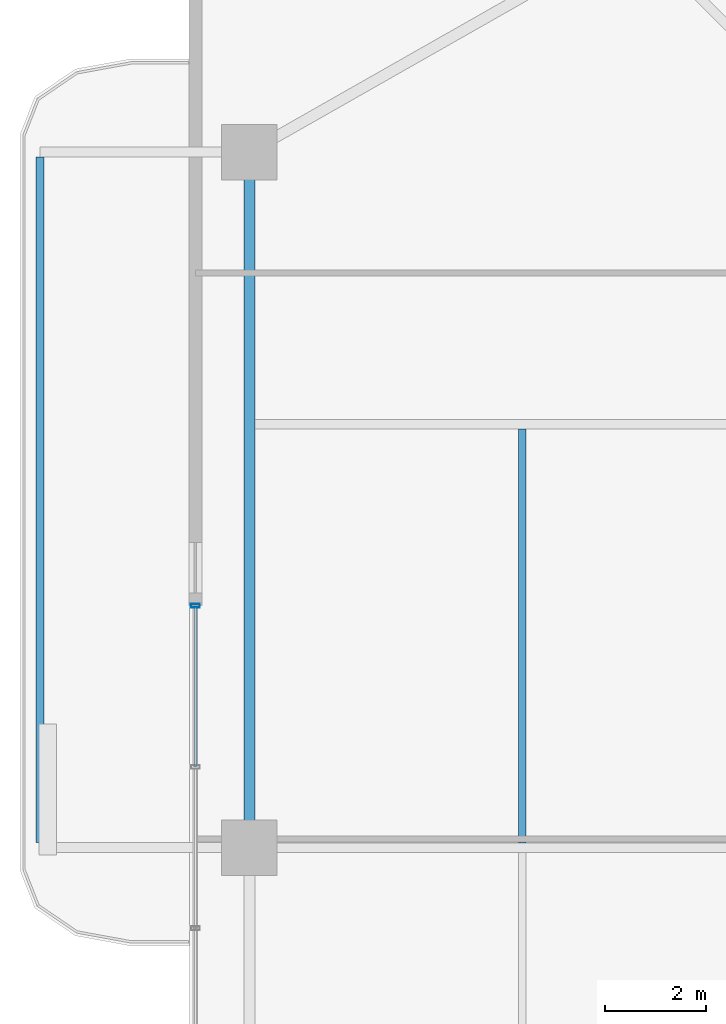
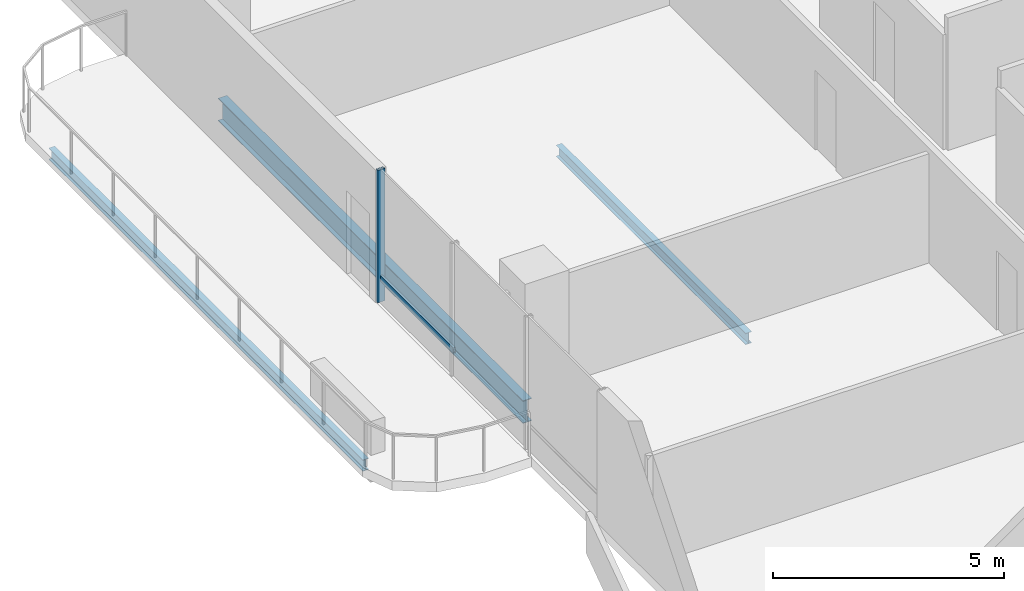
# One storey, part 9 of 24: 3 beams, 2 members, 1 element without a shape of its own.
"""IFC4 building model written with IfcOpenShell, lengths in metres."""

from ifc_helpers import new_model, si_unit, direction, frame, origin, origin_2d, place, context, subcontext, project, spatial, hollow_rectangle, i_section, extrude, material, layer, layer_set, material_profile, profile_set, type_object, element, aggregate, save


model = new_model("IFC4")

# Units and contexts
model_context = context("Model", 3, precision=1e-05, world=origin(), true_north=direction((0.0, 1.0)))
body_context = subcontext(model_context, "Body", "Model", "MODEL_VIEW")
ifc_project = project(units=[si_unit("LENGTHUNIT", "METRE"), si_unit("AREAUNIT", "SQUARE_METRE"), si_unit("VOLUMEUNIT", "CUBIC_METRE"), si_unit("PLANEANGLEUNIT", "RADIAN"), si_unit("MASSUNIT", "GRAM", prefix="KILO")], contexts=[model_context])

# Site, building, storey
site_placement = place(None, origin())
site = spatial("IfcSite", under=ifc_project, at=site_placement, CompositionType="ELEMENT")
building_placement = place(site_placement, origin())
building = spatial("IfcBuilding", under=site, at=building_placement, Name="Belovzor Exchange Tower", CompositionType="ELEMENT")
storey_placement = place(building_placement, frame((0.0, 0.0, 207.449951171875)))
storey = spatial("IfcBuildingStorey", under=building, at=storey_placement, Name="L51", CompositionType="ELEMENT", Elevation=207.449951171875)

# Beams
ifc_material_1 = material(Name="Steel S355", Category="steel")
ifc_material_profile_1 = material_profile(ifc_material_1, i_section(OverallWidth=0.14990234375, OverallDepth=0.300048828125, WebThickness=0.007080078125, FlangeThickness=0.0107421875, at=origin_2d()))
ifc_profile_set_1 = profile_set([ifc_material_profile_1], Name="Steel S355")
beam_type_1 = type_object("IfcBeamType", Name="Planted Balcony Fascia Edge Beam IPE 300", PredefinedType="BEAM", material=ifc_profile_set_1)
beam_1_placement = place(storey_placement, frame((-1.153076171875, 42.5, -0.39990234375), z_axis=(0.0, -1.0, 0.0), x_axis=(1.0, 0.0, 0.0)))
element("IfcBeam", 1, at=beam_1_placement, inside=storey, type_object=beam_type_1, Name="BC-300 Planted Balcony Fascia Edge Beam IPE 300", PredefinedType="BEAM", context=body_context, shape_type="SweptSolid", body=[
    extrude(i_section(OverallWidth=0.14990234375, OverallDepth=0.300048828125, WebThickness=0.007080078125, FlangeThickness=0.0107421875, at=origin_2d()), origin(), (0.0, 0.0, 1.0), 13.60009765625),
])
ifc_material_2 = material(Name="Steel S355", Category="steel")
ifc_material_profile_2 = material_profile(ifc_material_2, i_section(OverallWidth=0.14990234375, OverallDepth=0.300048828125, WebThickness=0.007080078125, FlangeThickness=0.0107421875, at=origin_2d()))
ifc_profile_set_2 = profile_set([ifc_material_profile_2], Name="Steel S355")
beam_type_2 = type_object("IfcBeamType", Name="Secondary Trim Floor Joist IPE 300", PredefinedType="BEAM", material=ifc_profile_set_2)
beam_2_placement = place(storey_placement, frame((8.4130859375, 28.89501953125, -0.39990234375), z_axis=(0.0, 1.0, 0.0), x_axis=(-1.0, 0.0, 0.0)))
element("IfcBeam", 2, at=beam_2_placement, inside=storey, type_object=beam_type_2, Name="FJ-300 Secondary Trim Floor Joist IPE 300", PredefinedType="BEAM", context=body_context, shape_type="SweptSolid", body=[
    extrude(i_section(OverallWidth=0.14990234375, OverallDepth=0.300048828125, WebThickness=0.007080078125, FlangeThickness=0.0107421875, at=origin_2d()), origin(), (0.0, 0.0, 1.0), 8.2099609375),
])

# Curtain wall, members
ifc_material_3 = material(Name="Anodised Aluminium Framing", Category="aluminium")
ifc_layer = layer(ifc_material_3, 0.179931640625)
ifc_layer_set = layer_set([ifc_layer], Name="Anodised Aluminium Framing")
curtain_wall_type = type_object("IfcCurtainWallType", Name="Recessed Loggia Low-Iron Triple-Glazed Curtain Wall", PredefinedType="NOTDEFINED", material=ifc_layer_set)
curtain_wall_placement = place(storey_placement, origin())
curtain_wall = element("IfcCurtainWall", 3, at=curtain_wall_placement, inside=storey, type_object=curtain_wall_type, Name="CW3 Recessed Loggia Low-Iron Triple-Glazed Curtain Wall L51", PredefinedType="NOTDEFINED")
ifc_material_4 = material(Name="Steel S355", Category="steel")
ifc_material_profile_3 = material_profile(ifc_material_4, hollow_rectangle(XDim=0.074951171875, YDim=0.179931640625, WallThickness=0.0048828125, at=origin_2d()))
ifc_profile_set_3 = profile_set([ifc_material_profile_3], Name="Steel S355")
member_type_1 = type_object("IfcMemberType", Name="Thermally Broken Curtain Wall Mullion 180x75", PredefinedType="MULLION", material=ifc_profile_set_3)
member_1_placement = place(storey_placement, frame((1.929931640625, 33.60009765625, 0.0), z_axis=(0.0, 0.0, 1.0), x_axis=(0.0, 1.0, 0.0)))
member_1 = element("IfcMember", 4, at=member_1_placement, type_object=member_type_1, Name="CW-M180 Curtain Wall Mullion 4", PredefinedType="MULLION", context=body_context, shape_type="SweptSolid", body=[
    extrude(hollow_rectangle(XDim=0.074951171875, YDim=0.179931640625, WallThickness=0.0048828125, at=origin_2d()), origin(), (0.0, 0.0, 1.0), 3.5),
])
ifc_material_5 = material(Name="Steel S355", Category="steel")
ifc_material_profile_4 = material_profile(ifc_material_5, hollow_rectangle(XDim=0.06005859375, YDim=0.14990234375, WallThickness=0.00390625, at=origin_2d()))
ifc_profile_set_4 = profile_set([ifc_material_profile_4], Name="Steel S355")
member_type_2 = type_object("IfcMemberType", Name="Thermally Broken Curtain Wall Transom 150x60", PredefinedType="USERDEFINED", material=ifc_profile_set_4)
member_2_placement = place(storey_placement, frame((1.929931640625, 30.407958984375, 0.630126953125), z_axis=(0.0, 1.0, 0.0), x_axis=(-1.0, 0.0, 0.0)))
member_2 = element("IfcMember", 5, at=member_2_placement, type_object=member_type_2, Name="CW-T150 Curtain Wall Transom 3", ObjectType="TRANSOM", PredefinedType="USERDEFINED", context=body_context, shape_type="SweptSolid", body=[
    extrude(hollow_rectangle(XDim=0.06005859375, YDim=0.14990234375, WallThickness=0.00390625, at=origin_2d()), origin(), (0.0, 0.0, 1.0), 3.18408203125),
])
aggregate(curtain_wall, [member_1, member_2])

# Beam
ifc_material_6 = material(Name="Steel S355", Category="steel")
ifc_material_profile_5 = material_profile(ifc_material_6, i_section(OverallWidth=0.219970703125, OverallDepth=0.60009765625, WebThickness=0.011962890625, FlangeThickness=0.01904296875, at=origin_2d()))
ifc_profile_set_5 = profile_set([ifc_material_profile_5], Name="Steel S355")
beam_type_3 = type_object("IfcBeamType", Name="Zone 4 Flare Primary Girder IPE 600", PredefinedType="BEAM", material=ifc_profile_set_5)
beam_3_placement = place(storey_placement, frame((3.0, 42.297119140625, -0.550048828125), z_axis=(0.0, -1.0, 0.0), x_axis=(1.0, 0.0, 0.0)))
element("IfcBeam", 6, at=beam_3_placement, inside=storey, type_object=beam_type_3, Name="FG-Z4 Zone 4 Flare Primary Girder IPE 600", PredefinedType="BEAM", context=body_context, shape_type="SweptSolid", body=[
    extrude(i_section(OverallWidth=0.219970703125, OverallDepth=0.60009765625, WebThickness=0.011962890625, FlangeThickness=0.01904296875, at=origin_2d()), origin(), (0.0, 0.0, 1.0), 13.195068359375),
])

save(model, "model.ifc")
